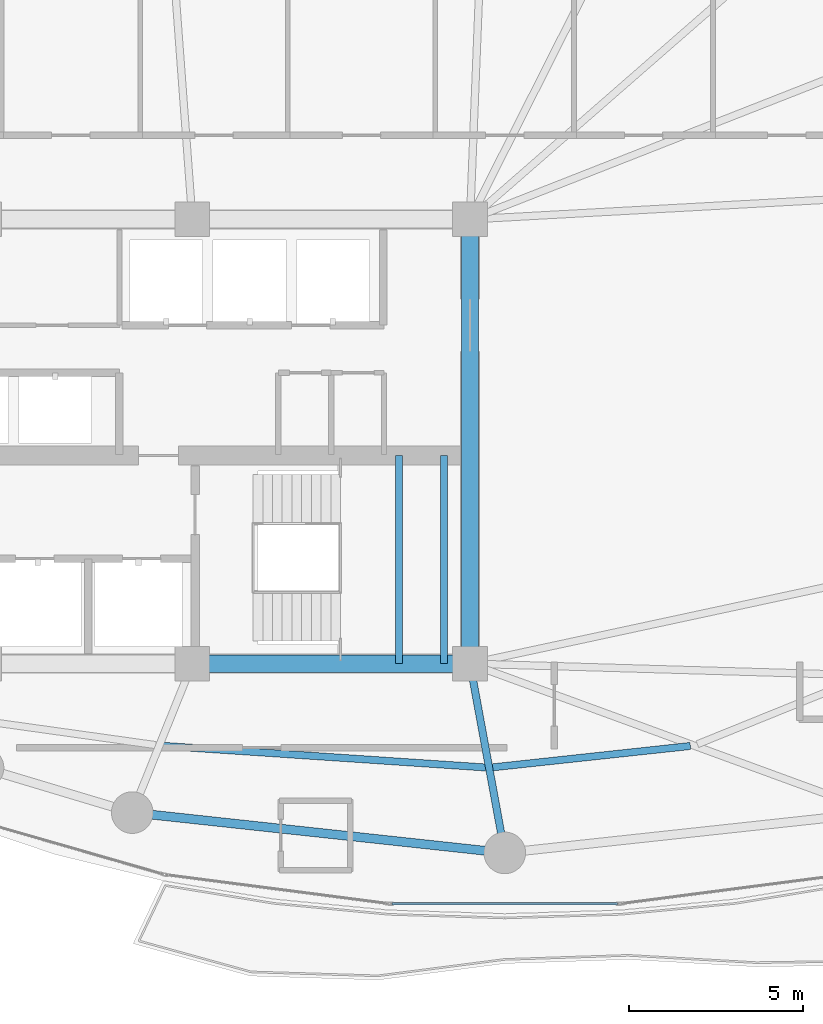
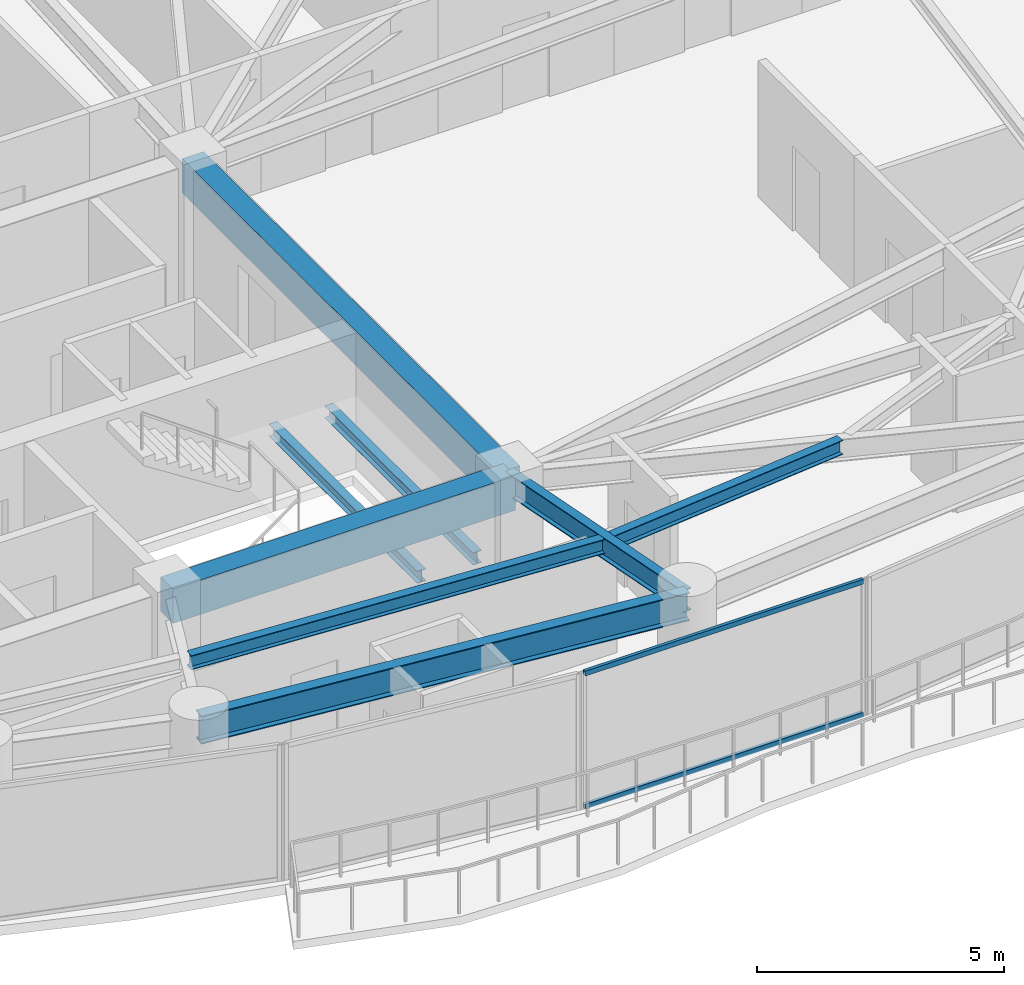
# One storey, part 6 of 28: 8 beams, 2 members, 1 element without a shape of its own.
"""IFC4 building model written with IfcOpenShell, lengths in metres."""

from ifc_helpers import new_model, si_unit, direction, frame, origin, origin_2d, place, context, subcontext, project, spatial, rectangle, hollow_rectangle, i_section, extrude, material, layer, layer_set, material_profile, profile_set, type_object, element, aggregate, save


model = new_model("IFC4")

# Units and contexts
model_context = context("Model", 3, precision=1e-05, world=origin(), true_north=direction((0.0, 1.0)))
body_context = subcontext(model_context, "Body", "Model", "MODEL_VIEW")
ifc_project = project(units=[si_unit("LENGTHUNIT", "METRE"), si_unit("AREAUNIT", "SQUARE_METRE"), si_unit("VOLUMEUNIT", "CUBIC_METRE"), si_unit("PLANEANGLEUNIT", "RADIAN"), si_unit("MASSUNIT", "GRAM", prefix="KILO")], contexts=[model_context])

# Site, building, storey
site_placement = place(None, origin())
site = spatial("IfcSite", under=ifc_project, at=site_placement, CompositionType="ELEMENT")
building_placement = place(site_placement, origin())
building = spatial("IfcBuilding", under=site, at=building_placement, Name="Kazevale Care Tower and Concert Hall", CompositionType="ELEMENT")
storey_placement = place(building_placement, frame((0.0, 0.0, 138.60009765625)))
storey = spatial("IfcBuildingStorey", under=building, at=storey_placement, Name="L36", CompositionType="ELEMENT", Elevation=138.60009765625)

# Curtain wall, members
ifc_material_1 = material(Name="Aluminium 6063-T6 and Low-E Glass", Category="aluminium")
ifc_layer = layer(ifc_material_1, 0.179931640625)
ifc_layer_set = layer_set([ifc_layer], Name="Aluminium 6063-T6 and Low-E Glass")
curtain_wall_type = type_object("IfcCurtainWallType", Name="Sheltered Concave Balcony Curtain Wall CW-5", PredefinedType="NOTDEFINED", material=ifc_layer_set)
curtain_wall_placement = place(storey_placement, origin())
curtain_wall = element("IfcCurtainWall", 1, at=curtain_wall_placement, inside=storey, type_object=curtain_wall_type, Name="cw:L36:f06", PredefinedType="NOTDEFINED")
ifc_material_2 = material(Name="Aluminium 6063-T6", Category="aluminium")
ifc_material_profile_1 = material_profile(ifc_material_2, hollow_rectangle(XDim=0.074951171875, YDim=0.1201171875, WallThickness=0.00390625, at=origin_2d()), Name="ALU75x120x4")
ifc_profile_set_1 = profile_set([ifc_material_profile_1], Name="Aluminium 6063-T6")
member_type = type_object("IfcMemberType", Name="CW-5 Transom ALU75x120x4", PredefinedType="USERDEFINED", material=ifc_profile_set_1)
member_1_placement = place(storey_placement, frame((48.25, 16.68408203125, 0.037353515625), z_axis=(-1.0, 0.0, 0.0), x_axis=(0.0, -1.0, 0.0)))
member_1 = element("IfcMember", 2, at=member_1_placement, type_object=member_type, Name="CW-5 transom 1.1", ObjectType="TRANSOM", PredefinedType="USERDEFINED", context=body_context, shape_type="SweptSolid", body=[
    extrude(hollow_rectangle(XDim=0.074951171875, YDim=0.1201171875, WallThickness=0.00390625, at=origin_2d()), origin(), (0.0, 0.0, 1.0), 6.5),
])
member_2_placement = place(storey_placement, frame((48.25, 16.68408203125, 3.322509765625), z_axis=(-1.0, 0.0, 0.0), x_axis=(0.0, -1.0, 0.0)))
member_2 = element("IfcMember", 3, at=member_2_placement, type_object=member_type, Name="CW-5 transom 1.2", ObjectType="TRANSOM", PredefinedType="USERDEFINED", context=body_context, shape_type="SweptSolid", body=[
    extrude(hollow_rectangle(XDim=0.074951171875, YDim=0.1201171875, WallThickness=0.00390625, at=origin_2d()), origin(), (0.0, 0.0, 1.0), 6.5),
])
aggregate(curtain_wall, [member_1, member_2])

# Beams
ifc_material_3 = material(Name="Concrete C60", Category="concrete")
ifc_material_profile_2 = material_profile(ifc_material_3, rectangle(XDim=0.5, YDim=0.85009765625, at=origin_2d()), Name="RC-B500x850")
ifc_profile_set_2 = profile_set([ifc_material_profile_2], Name="Concrete C60")
beam_type_1 = type_object("IfcBeamType", Name="Core Coupling Beam RC500x850", PredefinedType="LINTEL", material=ifc_profile_set_2)
beam_1_placement = place(storey_placement, frame((36.0, 23.60009765625, 2.934814453125), z_axis=(1.0, 0.0, 0.0), x_axis=(0.0, 1.0, 0.0)))
element("IfcBeam", 4, at=beam_1_placement, inside=storey, type_object=beam_type_1, Name="beam:L36:coretie:3", PredefinedType="LINTEL", context=body_context, shape_type="SweptSolid", body=[
    extrude(rectangle(XDim=0.5, YDim=0.85009765625, at=origin_2d()), origin(), (0.0, 0.0, 1.0), 8.0),
])
beam_2_placement = place(storey_placement, frame((44.0, 23.60009765625, 2.934814453125), z_axis=(0.0, 1.0, 0.0), x_axis=(-1.0, 0.0, 0.0)))
element("IfcBeam", 5, at=beam_2_placement, inside=storey, type_object=beam_type_1, Name="beam:L36:coretie:4", PredefinedType="LINTEL", context=body_context, shape_type="SweptSolid", body=[
    extrude(rectangle(XDim=0.5, YDim=0.85009765625, at=origin_2d()), origin(), (0.0, 0.0, 1.0), 12.7998046875),
])
ifc_material_4 = material(Name="Steel ASTM A572 Gr 50", Category="steel")
ifc_material_profile_3 = material_profile(ifc_material_4, i_section(OverallWidth=0.2119140625, OverallDepth=0.5439453125, WebThickness=0.01318359375, FlangeThickness=0.021240234375, at=origin_2d()), Name="W530x123")
ifc_profile_set_3 = profile_set([ifc_material_profile_3], Name="Steel ASTM A572 Gr 50")
beam_type_2 = type_object("IfcBeamType", Name="Radial Floor Girder W530x123", PredefinedType="BEAM", material=ifc_profile_set_3)
beam_3_placement = place(storey_placement, frame((44.0, 23.60009765625, 3.087890625), z_axis=(0.180467114023, -0.983581018908, 0.0), x_axis=(0.983581018908, 0.180467114023, 0.0)))
element("IfcBeam", 6, at=beam_3_placement, inside=storey, type_object=beam_type_2, Name="beam:L36:rad:13", PredefinedType="BEAM", context=body_context, shape_type="SweptSolid", body=[
    extrude(i_section(OverallWidth=0.2119140625, OverallDepth=0.5439453125, WebThickness=0.01318359375, FlangeThickness=0.021240234375, at=origin_2d()), origin(), (0.0, 0.0, 1.0), 5.541259765625),
])
ifc_material_profile_4 = material_profile(ifc_material_4, i_section(OverallWidth=0.205078125, OverallDepth=0.35400390625, WebThickness=0.009521484375, FlangeThickness=0.016845703125, at=origin_2d()), Name="W360x79")
ifc_profile_set_4 = profile_set([ifc_material_profile_4], Name="Steel ASTM A572 Gr 50")
beam_type_3 = type_object("IfcBeamType", Name="Secondary Floor Joist W360x79", PredefinedType="JOIST", material=ifc_profile_set_4)
beam_4_placement = place(storey_placement, frame((35.153076171875, 21.23291015625, 3.182861328125), z_axis=(0.997761314569, -0.06687569925, 0.0), x_axis=(0.06687569925, 0.997761314569, 0.0)))
element("IfcBeam", 7, at=beam_4_placement, inside=storey, type_object=beam_type_3, Name="beam:L36:joist:12", PredefinedType="JOIST", context=body_context, shape_type="SweptSolid", body=[
    extrude(i_section(OverallWidth=0.205078125, OverallDepth=0.35400390625, WebThickness=0.009521484375, FlangeThickness=0.016845703125, at=origin_2d()), origin(), (0.0, 0.0, 1.0), 9.312744140625),
])
beam_5_placement = place(storey_placement, frame((44.654052734375, 20.614013671875, 3.182861328125), z_axis=(0.994215541126, 0.107403248482, 0.0), x_axis=(-0.107403248482, 0.994215541126, 0.0)))
element("IfcBeam", 8, at=beam_5_placement, inside=storey, type_object=beam_type_3, Name="beam:L36:joist:13", PredefinedType="JOIST", context=body_context, shape_type="SweptSolid", body=[
    extrude(i_section(OverallWidth=0.205078125, OverallDepth=0.35400390625, WebThickness=0.009521484375, FlangeThickness=0.016845703125, at=origin_2d()), origin(), (0.0, 0.0, 1.0), 5.72607421875),
])
ifc_material_profile_5 = material_profile(ifc_material_4, i_section(OverallWidth=0.202880859375, OverallDepth=0.302978515625, WebThickness=0.007568359375, FlangeThickness=0.01318359375, at=origin_2d()), Name="W310x60")
ifc_profile_set_5 = profile_set([ifc_material_profile_5], Name="Steel ASTM A572 Gr 50")
beam_type_4 = type_object("IfcBeamType", Name="Stair & Balcony Trimmer W310x60", PredefinedType="BEAM", material=ifc_profile_set_5)
for number, where, z_axis, x_axis, name in (
    (9, (41.949951171875, 23.60009765625, 1.448486328125), (0.0, 1.0, 0.0), (-1.0, 0.0, 0.0), "beam:L36:sttrim:ST2"),
    (10, (43.25, 23.60009765625, 1.448486328125), (0.0, 1.0, 0.0), (-1.0, 0.0, 0.0), "beam:L36:sttrim:ST2b"),
):
    element("IfcBeam", number, at=place(storey_placement, frame(where, z_axis=z_axis, x_axis=x_axis)), inside=storey, type_object=beam_type_4, Name=name, PredefinedType="BEAM", context=body_context, shape_type="SweptSolid", body=[
        extrude(i_section(OverallWidth=0.202880859375, OverallDepth=0.302978515625, WebThickness=0.007568359375, FlangeThickness=0.01318359375, at=origin_2d()), origin(), (0.0, 0.0, 1.0), 6.0),
    ])
ifc_material_profile_6 = material_profile(ifc_material_4, i_section(OverallWidth=0.256103515625, OverallDepth=0.693115234375, WebThickness=0.014404296875, FlangeThickness=0.023681640625, at=origin_2d()), Name="W690x170")
ifc_profile_set_6 = profile_set([ifc_material_profile_6], Name="Steel ASTM A572 Gr 50")
beam_type_5 = type_object("IfcBeamType", Name="Waist Ring Beam W690x170", PredefinedType="BEAM", material=ifc_profile_set_6)
beam_6_placement = place(storey_placement, frame((34.27001953125, 19.31005859375, 3.013427734375), z_axis=(0.994205479487, -0.107496346724, 0.0), x_axis=(0.107496346724, 0.994205479487, 0.0)))
element("IfcBeam", 11, at=beam_6_placement, inside=storey, type_object=beam_type_5, Name="beam:L36:ring:12", PredefinedType="BEAM", context=body_context, shape_type="SweptSolid", body=[
    extrude(i_section(OverallWidth=0.256103515625, OverallDepth=0.693115234375, WebThickness=0.014404296875, FlangeThickness=0.023681640625, at=origin_2d()), origin(), (0.0, 0.0, 1.0), 10.79248046875),
])

save(model, "model.ifc")
